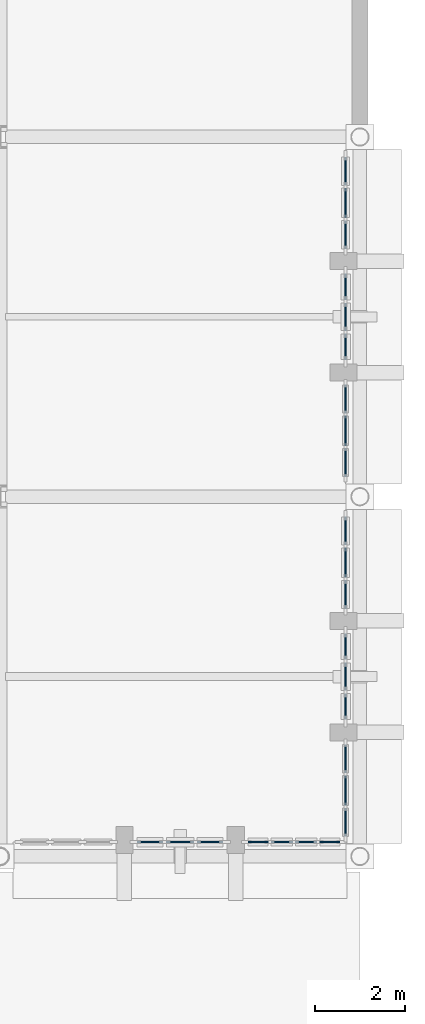
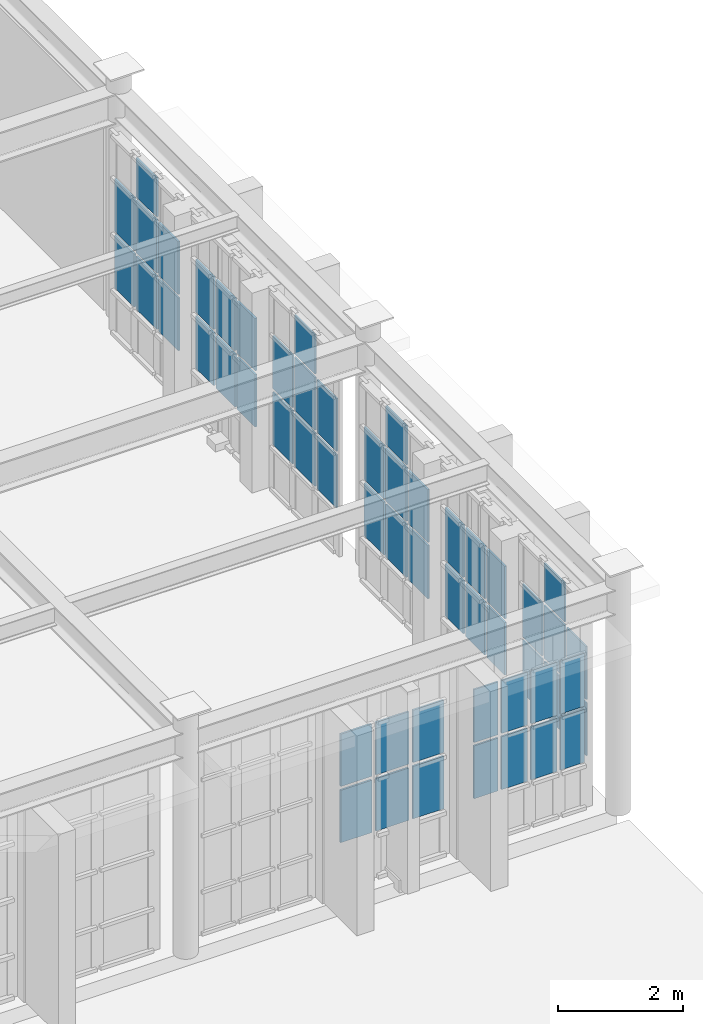
# One storey, part 112 of 155: 54 plates, 8 elements without a shape of their own.
"""IFC4 building model written with IfcOpenShell, lengths in metres."""

from ifc_helpers import new_model, si_unit, direction, frame, origin, origin_2d, place, context, subcontext, project, spatial, rectangle, extrude, material, layer, layer_set, type_object, element, aggregate, save


model = new_model("IFC4")

# Units and contexts
model_context = context("Model", 3, precision=1e-05, world=origin(), true_north=direction((0.0, 1.0)))
body_context = subcontext(model_context, "Body", "Model", "MODEL_VIEW")
ifc_project = project(units=[si_unit("LENGTHUNIT", "METRE"), si_unit("AREAUNIT", "SQUARE_METRE"), si_unit("VOLUMEUNIT", "CUBIC_METRE"), si_unit("PLANEANGLEUNIT", "RADIAN"), si_unit("MASSUNIT", "GRAM", prefix="KILO")], contexts=[model_context])

# Site, building, storey
site_placement = place(None, origin())
site = spatial("IfcSite", under=ifc_project, at=site_placement, CompositionType="ELEMENT")
building_placement = place(site_placement, origin())
building = spatial("IfcBuilding", under=site, at=building_placement, Name="Tazarka Park Arena", CompositionType="ELEMENT")
storey_placement = place(building_placement, frame((0.0, 0.0, 5.39990234375)))
storey = spatial("IfcBuildingStorey", under=building, at=storey_placement, Name="L01", CompositionType="ELEMENT", Elevation=5.39990234375)

# Curtain wall, plates
ifc_material_1 = material(Name="Aluminium and low-e glass", Category="aluminium")
ifc_layer_1 = layer(ifc_material_1, 0.179931640625, Name="Aluminium and low-e glass")
ifc_layer_set_1 = layer_set([ifc_layer_1], Name="Aluminium and low-e glass")
curtain_wall_type_1 = type_object("IfcCurtainWallType", Name="CW-06", PredefinedType="NOTDEFINED", material=ifc_layer_set_1)
curtain_wall_1_placement = place(storey_placement, origin())
curtain_wall_1 = element("IfcCurtainWall", 1, at=curtain_wall_1_placement, inside=storey, type_object=curtain_wall_type_1, Name="Curtain Wall CWA-L01-186", PredefinedType="NOTDEFINED")
ifc_material_2 = material(Name="Double low-e insulated glazing", Category="glass")
ifc_layer_2 = layer(ifc_material_2, 0.028076171875, Name="Double low-e insulated glazing")
ifc_layer_set_2 = layer_set([ifc_layer_2], Name="Double low-e insulated glazing")
plate_type_1 = type_object("IfcPlateType", Name="CWP-01", PredefinedType="CURTAIN_PANEL", material=ifc_layer_set_2)
plate_1_placement = place(storey_placement, frame((183.679931640625, 42.173583984375, 0.8828125), z_axis=(0.0, 0.0, 1.0), x_axis=(0.0, -1.0, 0.0)))
plate_1 = element("IfcPlate", 2, at=plate_1_placement, type_object=plate_type_1, Name="CW-06 panel 1.2", PredefinedType="CURTAIN_PANEL", context=body_context, shape_type="SweptSolid", body=[
    extrude(rectangle(XDim=0.625244140625, YDim=0.028076171875, at=origin_2d()), origin(), (0.0, 0.0, 1.0), 1.034912109375),
])
plate_2_placement = place(storey_placement, frame((183.679931640625, 42.173583984375, 1.982421875), z_axis=(0.0, 0.0, 1.0), x_axis=(0.0, -1.0, 0.0)))
plate_2 = element("IfcPlate", 3, at=plate_2_placement, type_object=plate_type_1, Name="CW-06 panel 1.3", PredefinedType="CURTAIN_PANEL", context=body_context, shape_type="SweptSolid", body=[
    extrude(rectangle(XDim=0.625244140625, YDim=0.028076171875, at=origin_2d()), origin(), (0.0, 0.0, 1.0), 1.034912109375),
])
plate_3_placement = place(storey_placement, frame((183.679931640625, 41.467041015625, 0.8828125), z_axis=(0.0, 0.0, 1.0), x_axis=(0.0, -1.0, 0.0)))
plate_3 = element("IfcPlate", 4, at=plate_3_placement, type_object=plate_type_1, Name="CW-06 panel 2.2", PredefinedType="CURTAIN_PANEL", context=body_context, shape_type="SweptSolid", body=[
    extrude(rectangle(XDim=0.65771484375, YDim=0.028076171875, at=origin_2d()), origin(), (0.0, 0.0, 1.0), 1.034912109375),
])
plate_4_placement = place(storey_placement, frame((183.679931640625, 41.467041015625, 1.982421875), z_axis=(0.0, 0.0, 1.0), x_axis=(0.0, -1.0, 0.0)))
plate_4 = element("IfcPlate", 5, at=plate_4_placement, type_object=plate_type_1, Name="CW-06 panel 2.3", PredefinedType="CURTAIN_PANEL", context=body_context, shape_type="SweptSolid", body=[
    extrude(rectangle(XDim=0.65771484375, YDim=0.028076171875, at=origin_2d()), origin(), (0.0, 0.0, 1.0), 1.034912109375),
])
plate_5_placement = place(storey_placement, frame((183.679931640625, 41.467041015625, 3.08251953125), z_axis=(0.0, 0.0, 1.0), x_axis=(0.0, -1.0, 0.0)))
plate_5 = element("IfcPlate", 6, at=plate_5_placement, type_object=plate_type_1, Name="CW-06 panel 2.4", PredefinedType="CURTAIN_PANEL", context=body_context, shape_type="SweptSolid", body=[
    extrude(rectangle(XDim=0.65771484375, YDim=0.028076171875, at=origin_2d()), origin(), (0.0, 0.0, 1.0), 0.762451171875),
])
plate_6_placement = place(storey_placement, frame((183.679931640625, 40.7607421875, 0.8828125), z_axis=(0.0, 0.0, 1.0), x_axis=(0.0, -1.0, 0.0)))
plate_6 = element("IfcPlate", 7, at=plate_6_placement, type_object=plate_type_1, Name="CW-06 panel 3.2", PredefinedType="CURTAIN_PANEL", context=body_context, shape_type="SweptSolid", body=[
    extrude(rectangle(XDim=0.625244140625, YDim=0.028076171875, at=origin_2d()), origin(), (0.0, 0.0, 1.0), 1.034912109375),
])
plate_7_placement = place(storey_placement, frame((183.679931640625, 40.7607421875, 1.982421875), z_axis=(0.0, 0.0, 1.0), x_axis=(0.0, -1.0, 0.0)))
plate_7 = element("IfcPlate", 8, at=plate_7_placement, type_object=plate_type_1, Name="CW-06 panel 3.3", PredefinedType="CURTAIN_PANEL", context=body_context, shape_type="SweptSolid", body=[
    extrude(rectangle(XDim=0.625244140625, YDim=0.028076171875, at=origin_2d()), origin(), (0.0, 0.0, 1.0), 1.034912109375),
])
aggregate(curtain_wall_1, [plate_1, plate_2, plate_3, plate_4, plate_5, plate_6, plate_7])

ifc_material_3 = material(Name="Aluminium and low-e glass", Category="aluminium")
ifc_layer_3 = layer(ifc_material_3, 0.179931640625, Name="Aluminium and low-e glass")
ifc_layer_set_3 = layer_set([ifc_layer_3], Name="Aluminium and low-e glass")
curtain_wall_type_2 = type_object("IfcCurtainWallType", Name="CW-09", PredefinedType="NOTDEFINED", material=ifc_layer_set_3)
curtain_wall_2_placement = place(storey_placement, origin())
curtain_wall_2 = element("IfcCurtainWall", 9, at=curtain_wall_2_placement, inside=storey, type_object=curtain_wall_type_2, Name="Curtain Wall CWA-L01-189", PredefinedType="NOTDEFINED")
plate_8_placement = place(storey_placement, frame((183.679931640625, 50.173583984375, 0.8828125), z_axis=(0.0, 0.0, 1.0), x_axis=(0.0, -1.0, 0.0)))
plate_8 = element("IfcPlate", 10, at=plate_8_placement, type_object=plate_type_1, Name="CW-09 panel 1.2", PredefinedType="CURTAIN_PANEL", context=body_context, shape_type="SweptSolid", body=[
    extrude(rectangle(XDim=0.625244140625, YDim=0.028076171875, at=origin_2d()), origin(), (0.0, 0.0, 1.0), 1.034912109375),
])
plate_9_placement = place(storey_placement, frame((183.679931640625, 50.173583984375, 1.982421875), z_axis=(0.0, 0.0, 1.0), x_axis=(0.0, -1.0, 0.0)))
plate_9 = element("IfcPlate", 11, at=plate_9_placement, type_object=plate_type_1, Name="CW-09 panel 1.3", PredefinedType="CURTAIN_PANEL", context=body_context, shape_type="SweptSolid", body=[
    extrude(rectangle(XDim=0.625244140625, YDim=0.028076171875, at=origin_2d()), origin(), (0.0, 0.0, 1.0), 1.034912109375),
])
plate_10_placement = place(storey_placement, frame((183.679931640625, 49.467041015625, 0.8828125), z_axis=(0.0, 0.0, 1.0), x_axis=(0.0, -1.0, 0.0)))
plate_10 = element("IfcPlate", 12, at=plate_10_placement, type_object=plate_type_1, Name="CW-09 panel 2.2", PredefinedType="CURTAIN_PANEL", context=body_context, shape_type="SweptSolid", body=[
    extrude(rectangle(XDim=0.65771484375, YDim=0.028076171875, at=origin_2d()), origin(), (0.0, 0.0, 1.0), 1.034912109375),
])
plate_11_placement = place(storey_placement, frame((183.679931640625, 49.467041015625, 1.982421875), z_axis=(0.0, 0.0, 1.0), x_axis=(0.0, -1.0, 0.0)))
plate_11 = element("IfcPlate", 13, at=plate_11_placement, type_object=plate_type_1, Name="CW-09 panel 2.3", PredefinedType="CURTAIN_PANEL", context=body_context, shape_type="SweptSolid", body=[
    extrude(rectangle(XDim=0.65771484375, YDim=0.028076171875, at=origin_2d()), origin(), (0.0, 0.0, 1.0), 1.034912109375),
])
plate_12_placement = place(storey_placement, frame((183.679931640625, 49.467041015625, 3.08251953125), z_axis=(0.0, 0.0, 1.0), x_axis=(0.0, -1.0, 0.0)))
plate_12 = element("IfcPlate", 14, at=plate_12_placement, type_object=plate_type_1, Name="CW-09 panel 2.4", PredefinedType="CURTAIN_PANEL", context=body_context, shape_type="SweptSolid", body=[
    extrude(rectangle(XDim=0.65771484375, YDim=0.028076171875, at=origin_2d()), origin(), (0.0, 0.0, 1.0), 0.762451171875),
])
plate_13_placement = place(storey_placement, frame((183.679931640625, 48.7607421875, 0.8828125), z_axis=(0.0, 0.0, 1.0), x_axis=(0.0, -1.0, 0.0)))
plate_13 = element("IfcPlate", 15, at=plate_13_placement, type_object=plate_type_1, Name="CW-09 panel 3.2", PredefinedType="CURTAIN_PANEL", context=body_context, shape_type="SweptSolid", body=[
    extrude(rectangle(XDim=0.625244140625, YDim=0.028076171875, at=origin_2d()), origin(), (0.0, 0.0, 1.0), 1.034912109375),
])
plate_14_placement = place(storey_placement, frame((183.679931640625, 48.7607421875, 1.982421875), z_axis=(0.0, 0.0, 1.0), x_axis=(0.0, -1.0, 0.0)))
plate_14 = element("IfcPlate", 16, at=plate_14_placement, type_object=plate_type_1, Name="CW-09 panel 3.3", PredefinedType="CURTAIN_PANEL", context=body_context, shape_type="SweptSolid", body=[
    extrude(rectangle(XDim=0.625244140625, YDim=0.028076171875, at=origin_2d()), origin(), (0.0, 0.0, 1.0), 1.034912109375),
])
aggregate(curtain_wall_2, [plate_8, plate_9, plate_10, plate_11, plate_12, plate_13, plate_14])

ifc_material_4 = material(Name="Aluminium and low-e glass", Category="aluminium")
ifc_layer_4 = layer(ifc_material_4, 0.179931640625, Name="Aluminium and low-e glass")
ifc_layer_set_4 = layer_set([ifc_layer_4], Name="Aluminium and low-e glass")
curtain_wall_type_3 = type_object("IfcCurtainWallType", Name="CW-01", PredefinedType="NOTDEFINED", material=ifc_layer_set_4)
curtain_wall_3_placement = place(storey_placement, origin())
curtain_wall_3 = element("IfcCurtainWall", 17, at=curtain_wall_3_placement, inside=storey, type_object=curtain_wall_type_3, Name="Curtain Wall CWA-L01-181", PredefinedType="NOTDEFINED")
ifc_material_5 = material(Name="Triple acoustic solar glazing", Category="glass")
ifc_layer_5 = layer(ifc_material_5, 0.031982421875, Name="Triple acoustic solar glazing")
ifc_layer_set_5 = layer_set([ifc_layer_5], Name="Triple acoustic solar glazing")
plate_type_2 = type_object("IfcPlateType", Name="CWP-02", PredefinedType="CURTAIN_PANEL", material=ifc_layer_set_5)
plate_15_placement = place(storey_placement, frame((183.32958984375, 40.320068359375, 0.8828125), z_axis=(0.0, 0.0, 1.0), x_axis=(-1.0, 0.0, 0.0)))
plate_15 = element("IfcPlate", 18, at=plate_15_placement, type_object=plate_type_2, Name="CW-01 panel 1.2", PredefinedType="CURTAIN_PANEL", context=body_context, shape_type="SweptSolid", body=[
    extrude(rectangle(XDim=0.444580078125, YDim=0.031982421875, at=origin_2d()), origin(), (0.0, 0.0, 1.0), 1.034912109375),
])
plate_16_placement = place(storey_placement, frame((183.32958984375, 40.320068359375, 1.982421875), z_axis=(0.0, 0.0, 1.0), x_axis=(-1.0, 0.0, 0.0)))
plate_16 = element("IfcPlate", 19, at=plate_16_placement, type_object=plate_type_2, Name="CW-01 panel 1.3", PredefinedType="CURTAIN_PANEL", context=body_context, shape_type="SweptSolid", body=[
    extrude(rectangle(XDim=0.444580078125, YDim=0.031982421875, at=origin_2d()), origin(), (0.0, 0.0, 1.0), 1.034912109375),
])
plate_17_placement = place(storey_placement, frame((182.803955078125, 40.320068359375, 0.8828125), z_axis=(0.0, 0.0, 1.0), x_axis=(-1.0, 0.0, 0.0)))
plate_17 = element("IfcPlate", 20, at=plate_17_placement, type_object=plate_type_2, Name="CW-01 panel 2.2", PredefinedType="CURTAIN_PANEL", context=body_context, shape_type="SweptSolid", body=[
    extrude(rectangle(XDim=0.47705078125, YDim=0.031982421875, at=origin_2d()), origin(), (0.0, 0.0, 1.0), 1.034912109375),
])
plate_18_placement = place(storey_placement, frame((182.803955078125, 40.320068359375, 1.982421875), z_axis=(0.0, 0.0, 1.0), x_axis=(-1.0, 0.0, 0.0)))
plate_18 = element("IfcPlate", 21, at=plate_18_placement, type_object=plate_type_2, Name="CW-01 panel 2.3", PredefinedType="CURTAIN_PANEL", context=body_context, shape_type="SweptSolid", body=[
    extrude(rectangle(XDim=0.47705078125, YDim=0.031982421875, at=origin_2d()), origin(), (0.0, 0.0, 1.0), 1.034912109375),
])
plate_19_placement = place(storey_placement, frame((182.261962890625, 40.320068359375, 0.8828125), z_axis=(0.0, 0.0, 1.0), x_axis=(-1.0, 0.0, 0.0)))
plate_19 = element("IfcPlate", 22, at=plate_19_placement, type_object=plate_type_2, Name="CW-01 panel 3.2", PredefinedType="CURTAIN_PANEL", context=body_context, shape_type="SweptSolid", body=[
    extrude(rectangle(XDim=0.47705078125, YDim=0.031982421875, at=origin_2d()), origin(), (0.0, 0.0, 1.0), 1.034912109375),
])
plate_20_placement = place(storey_placement, frame((182.261962890625, 40.320068359375, 1.982421875), z_axis=(0.0, 0.0, 1.0), x_axis=(-1.0, 0.0, 0.0)))
plate_20 = element("IfcPlate", 23, at=plate_20_placement, type_object=plate_type_2, Name="CW-01 panel 3.3", PredefinedType="CURTAIN_PANEL", context=body_context, shape_type="SweptSolid", body=[
    extrude(rectangle(XDim=0.47705078125, YDim=0.031982421875, at=origin_2d()), origin(), (0.0, 0.0, 1.0), 1.034912109375),
])
plate_21_placement = place(storey_placement, frame((181.736083984375, 40.320068359375, 0.8828125), z_axis=(0.0, 0.0, 1.0), x_axis=(-1.0, 0.0, 0.0)))
plate_21 = element("IfcPlate", 24, at=plate_21_placement, type_object=plate_type_2, Name="CW-01 panel 4.2", PredefinedType="CURTAIN_PANEL", context=body_context, shape_type="SweptSolid", body=[
    extrude(rectangle(XDim=0.444580078125, YDim=0.031982421875, at=origin_2d()), origin(), (0.0, 0.0, 1.0), 1.034912109375),
])
plate_22_placement = place(storey_placement, frame((181.736083984375, 40.320068359375, 1.982421875), z_axis=(0.0, 0.0, 1.0), x_axis=(-1.0, 0.0, 0.0)))
plate_22 = element("IfcPlate", 25, at=plate_22_placement, type_object=plate_type_2, Name="CW-01 panel 4.3", PredefinedType="CURTAIN_PANEL", context=body_context, shape_type="SweptSolid", body=[
    extrude(rectangle(XDim=0.444580078125, YDim=0.031982421875, at=origin_2d()), origin(), (0.0, 0.0, 1.0), 1.034912109375),
])
aggregate(curtain_wall_3, [plate_15, plate_16, plate_17, plate_18, plate_19, plate_20, plate_21, plate_22])

ifc_material_6 = material(Name="Aluminium and low-e glass", Category="aluminium")
ifc_layer_6 = layer(ifc_material_6, 0.179931640625, Name="Aluminium and low-e glass")
ifc_layer_set_6 = layer_set([ifc_layer_6], Name="Aluminium and low-e glass")
curtain_wall_type_4 = type_object("IfcCurtainWallType", Name="CW-04", PredefinedType="NOTDEFINED", material=ifc_layer_set_6)
curtain_wall_4_placement = place(storey_placement, origin())
curtain_wall_4 = element("IfcCurtainWall", 26, at=curtain_wall_4_placement, inside=storey, type_object=curtain_wall_type_4, Name="Curtain Wall CWA-L01-184", PredefinedType="NOTDEFINED")
plate_23_placement = place(storey_placement, frame((183.679931640625, 47.2392578125, 0.8828125), z_axis=(0.0, 0.0, 1.0), x_axis=(0.0, -1.0, 0.0)))
plate_23 = element("IfcPlate", 27, at=plate_23_placement, type_object=plate_type_2, Name="CW-04 panel 1.2", PredefinedType="CURTAIN_PANEL", context=body_context, shape_type="SweptSolid", body=[
    extrude(rectangle(XDim=0.625244140625, YDim=0.031982421875, at=origin_2d()), origin(), (0.0, 0.0, 1.0), 1.034912109375),
])
plate_24_placement = place(storey_placement, frame((183.679931640625, 47.2392578125, 1.982421875), z_axis=(0.0, 0.0, 1.0), x_axis=(0.0, -1.0, 0.0)))
plate_24 = element("IfcPlate", 28, at=plate_24_placement, type_object=plate_type_2, Name="CW-04 panel 1.3", PredefinedType="CURTAIN_PANEL", context=body_context, shape_type="SweptSolid", body=[
    extrude(rectangle(XDim=0.625244140625, YDim=0.031982421875, at=origin_2d()), origin(), (0.0, 0.0, 1.0), 1.034912109375),
])
plate_25_placement = place(storey_placement, frame((183.679931640625, 46.532958984375, 0.8828125), z_axis=(0.0, 0.0, 1.0), x_axis=(0.0, -1.0, 0.0)))
plate_25 = element("IfcPlate", 29, at=plate_25_placement, type_object=plate_type_2, Name="CW-04 panel 2.2", PredefinedType="CURTAIN_PANEL", context=body_context, shape_type="SweptSolid", body=[
    extrude(rectangle(XDim=0.65771484375, YDim=0.031982421875, at=origin_2d()), origin(), (0.0, 0.0, 1.0), 1.034912109375),
])
plate_26_placement = place(storey_placement, frame((183.679931640625, 46.532958984375, 1.982421875), z_axis=(0.0, 0.0, 1.0), x_axis=(0.0, -1.0, 0.0)))
plate_26 = element("IfcPlate", 30, at=plate_26_placement, type_object=plate_type_2, Name="CW-04 panel 2.3", PredefinedType="CURTAIN_PANEL", context=body_context, shape_type="SweptSolid", body=[
    extrude(rectangle(XDim=0.65771484375, YDim=0.031982421875, at=origin_2d()), origin(), (0.0, 0.0, 1.0), 1.034912109375),
])
plate_27_placement = place(storey_placement, frame((183.679931640625, 46.532958984375, 3.08251953125), z_axis=(0.0, 0.0, 1.0), x_axis=(0.0, -1.0, 0.0)))
plate_27 = element("IfcPlate", 31, at=plate_27_placement, type_object=plate_type_2, Name="CW-04 panel 2.4", PredefinedType="CURTAIN_PANEL", context=body_context, shape_type="SweptSolid", body=[
    extrude(rectangle(XDim=0.65771484375, YDim=0.031982421875, at=origin_2d()), origin(), (0.0, 0.0, 1.0), 0.762451171875),
])
plate_28_placement = place(storey_placement, frame((183.679931640625, 45.826416015625, 0.8828125), z_axis=(0.0, 0.0, 1.0), x_axis=(0.0, -1.0, 0.0)))
plate_28 = element("IfcPlate", 32, at=plate_28_placement, type_object=plate_type_2, Name="CW-04 panel 3.2", PredefinedType="CURTAIN_PANEL", context=body_context, shape_type="SweptSolid", body=[
    extrude(rectangle(XDim=0.625244140625, YDim=0.031982421875, at=origin_2d()), origin(), (0.0, 0.0, 1.0), 1.034912109375),
])
plate_29_placement = place(storey_placement, frame((183.679931640625, 45.826416015625, 1.982421875), z_axis=(0.0, 0.0, 1.0), x_axis=(0.0, -1.0, 0.0)))
plate_29 = element("IfcPlate", 33, at=plate_29_placement, type_object=plate_type_2, Name="CW-04 panel 3.3", PredefinedType="CURTAIN_PANEL", context=body_context, shape_type="SweptSolid", body=[
    extrude(rectangle(XDim=0.625244140625, YDim=0.031982421875, at=origin_2d()), origin(), (0.0, 0.0, 1.0), 1.034912109375),
])
aggregate(curtain_wall_4, [plate_23, plate_24, plate_25, plate_26, plate_27, plate_28, plate_29])

ifc_material_7 = material(Name="Aluminium and low-e glass", Category="aluminium")
ifc_layer_7 = layer(ifc_material_7, 0.179931640625, Name="Aluminium and low-e glass")
ifc_layer_set_7 = layer_set([ifc_layer_7], Name="Aluminium and low-e glass")
curtain_wall_type_5 = type_object("IfcCurtainWallType", Name="CW-07", PredefinedType="NOTDEFINED", material=ifc_layer_set_7)
curtain_wall_5_placement = place(storey_placement, origin())
curtain_wall_5 = element("IfcCurtainWall", 34, at=curtain_wall_5_placement, inside=storey, type_object=curtain_wall_type_5, Name="Curtain Wall CWA-L01-187", PredefinedType="NOTDEFINED")
plate_30_placement = place(storey_placement, frame((183.679931640625, 55.2392578125, 0.8828125), z_axis=(0.0, 0.0, 1.0), x_axis=(0.0, -1.0, 0.0)))
plate_30 = element("IfcPlate", 35, at=plate_30_placement, type_object=plate_type_2, Name="CW-07 panel 1.2", PredefinedType="CURTAIN_PANEL", context=body_context, shape_type="SweptSolid", body=[
    extrude(rectangle(XDim=0.625244140625, YDim=0.031982421875, at=origin_2d()), origin(), (0.0, 0.0, 1.0), 1.034912109375),
])
plate_31_placement = place(storey_placement, frame((183.679931640625, 55.2392578125, 1.982421875), z_axis=(0.0, 0.0, 1.0), x_axis=(0.0, -1.0, 0.0)))
plate_31 = element("IfcPlate", 36, at=plate_31_placement, type_object=plate_type_2, Name="CW-07 panel 1.3", PredefinedType="CURTAIN_PANEL", context=body_context, shape_type="SweptSolid", body=[
    extrude(rectangle(XDim=0.625244140625, YDim=0.031982421875, at=origin_2d()), origin(), (0.0, 0.0, 1.0), 1.034912109375),
])
plate_32_placement = place(storey_placement, frame((183.679931640625, 54.532958984375, 0.8828125), z_axis=(0.0, 0.0, 1.0), x_axis=(0.0, -1.0, 0.0)))
plate_32 = element("IfcPlate", 37, at=plate_32_placement, type_object=plate_type_2, Name="CW-07 panel 2.2", PredefinedType="CURTAIN_PANEL", context=body_context, shape_type="SweptSolid", body=[
    extrude(rectangle(XDim=0.65771484375, YDim=0.031982421875, at=origin_2d()), origin(), (0.0, 0.0, 1.0), 1.034912109375),
])
plate_33_placement = place(storey_placement, frame((183.679931640625, 54.532958984375, 1.982421875), z_axis=(0.0, 0.0, 1.0), x_axis=(0.0, -1.0, 0.0)))
plate_33 = element("IfcPlate", 38, at=plate_33_placement, type_object=plate_type_2, Name="CW-07 panel 2.3", PredefinedType="CURTAIN_PANEL", context=body_context, shape_type="SweptSolid", body=[
    extrude(rectangle(XDim=0.65771484375, YDim=0.031982421875, at=origin_2d()), origin(), (0.0, 0.0, 1.0), 1.034912109375),
])
plate_34_placement = place(storey_placement, frame((183.679931640625, 54.532958984375, 3.08251953125), z_axis=(0.0, 0.0, 1.0), x_axis=(0.0, -1.0, 0.0)))
plate_34 = element("IfcPlate", 39, at=plate_34_placement, type_object=plate_type_2, Name="CW-07 panel 2.4", PredefinedType="CURTAIN_PANEL", context=body_context, shape_type="SweptSolid", body=[
    extrude(rectangle(XDim=0.65771484375, YDim=0.031982421875, at=origin_2d()), origin(), (0.0, 0.0, 1.0), 0.762451171875),
])
plate_35_placement = place(storey_placement, frame((183.679931640625, 53.826416015625, 0.8828125), z_axis=(0.0, 0.0, 1.0), x_axis=(0.0, -1.0, 0.0)))
plate_35 = element("IfcPlate", 40, at=plate_35_placement, type_object=plate_type_2, Name="CW-07 panel 3.2", PredefinedType="CURTAIN_PANEL", context=body_context, shape_type="SweptSolid", body=[
    extrude(rectangle(XDim=0.625244140625, YDim=0.031982421875, at=origin_2d()), origin(), (0.0, 0.0, 1.0), 1.034912109375),
])
plate_36_placement = place(storey_placement, frame((183.679931640625, 53.826416015625, 1.982421875), z_axis=(0.0, 0.0, 1.0), x_axis=(0.0, -1.0, 0.0)))
plate_36 = element("IfcPlate", 41, at=plate_36_placement, type_object=plate_type_2, Name="CW-07 panel 3.3", PredefinedType="CURTAIN_PANEL", context=body_context, shape_type="SweptSolid", body=[
    extrude(rectangle(XDim=0.625244140625, YDim=0.031982421875, at=origin_2d()), origin(), (0.0, 0.0, 1.0), 1.034912109375),
])
aggregate(curtain_wall_5, [plate_30, plate_31, plate_32, plate_33, plate_34, plate_35, plate_36])

ifc_material_8 = material(Name="Aluminium and low-e glass", Category="aluminium")
ifc_layer_8 = layer(ifc_material_8, 0.179931640625, Name="Aluminium and low-e glass")
ifc_layer_set_8 = layer_set([ifc_layer_8], Name="Aluminium and low-e glass")
curtain_wall_type_6 = type_object("IfcCurtainWallType", Name="CW-02", PredefinedType="NOTDEFINED", material=ifc_layer_set_8)
curtain_wall_6_placement = place(storey_placement, origin())
curtain_wall_6 = element("IfcCurtainWall", 42, at=curtain_wall_6_placement, inside=storey, type_object=curtain_wall_type_6, Name="Curtain Wall CWA-L01-182", PredefinedType="NOTDEFINED")
ifc_material_9 = material(Name="Insulated aluminium spandrel panel", Category="aluminium")
ifc_layer_9 = layer(ifc_material_9, 0.035888671875, Name="Insulated aluminium spandrel panel")
ifc_layer_set_9 = layer_set([ifc_layer_9], Name="Insulated aluminium spandrel panel")
plate_type_3 = type_object("IfcPlateType", Name="CWP-03", PredefinedType="CURTAIN_PANEL", material=ifc_layer_set_9)
plate_37_placement = place(storey_placement, frame((180.667236328125, 40.320068359375, 0.8876953125), z_axis=(0.0, 0.0, 1.0), x_axis=(-1.0, 0.0, 0.0)))
plate_37 = element("IfcPlate", 43, at=plate_37_placement, type_object=plate_type_3, Name="CW-02 panel 1.2", PredefinedType="CURTAIN_PANEL", context=body_context, shape_type="SweptSolid", body=[
    extrude(rectangle(XDim=0.573486328125, YDim=0.035888671875, at=origin_2d()), origin(), (0.0, 0.0, 1.0), 1.02490234375),
])
plate_38_placement = place(storey_placement, frame((180.667236328125, 40.320068359375, 1.987548828125), z_axis=(0.0, 0.0, 1.0), x_axis=(-1.0, 0.0, 0.0)))
plate_38 = element("IfcPlate", 44, at=plate_38_placement, type_object=plate_type_3, Name="CW-02 panel 1.3", PredefinedType="CURTAIN_PANEL", context=body_context, shape_type="SweptSolid", body=[
    extrude(rectangle(XDim=0.573486328125, YDim=0.035888671875, at=origin_2d()), origin(), (0.0, 0.0, 1.0), 1.02490234375),
])
plate_39_placement = place(storey_placement, frame((180.0, 40.320068359375, 0.8876953125), z_axis=(0.0, 0.0, 1.0), x_axis=(-1.0, 0.0, 0.0)))
plate_39 = element("IfcPlate", 45, at=plate_39_placement, type_object=plate_type_3, Name="CW-02 panel 2.2", PredefinedType="CURTAIN_PANEL", context=body_context, shape_type="SweptSolid", body=[
    extrude(rectangle(XDim=0.61083984375, YDim=0.035888671875, at=origin_2d()), origin(), (0.0, 0.0, 1.0), 1.02490234375),
])
plate_40_placement = place(storey_placement, frame((180.0, 40.320068359375, 1.987548828125), z_axis=(0.0, 0.0, 1.0), x_axis=(-1.0, 0.0, 0.0)))
plate_40 = element("IfcPlate", 46, at=plate_40_placement, type_object=plate_type_3, Name="CW-02 panel 2.3", PredefinedType="CURTAIN_PANEL", context=body_context, shape_type="SweptSolid", body=[
    extrude(rectangle(XDim=0.61083984375, YDim=0.035888671875, at=origin_2d()), origin(), (0.0, 0.0, 1.0), 1.02490234375),
])
plate_41_placement = place(storey_placement, frame((179.332763671875, 40.320068359375, 0.8876953125), z_axis=(0.0, 0.0, 1.0), x_axis=(-1.0, 0.0, 0.0)))
plate_41 = element("IfcPlate", 47, at=plate_41_placement, type_object=plate_type_3, Name="CW-02 panel 3.2", PredefinedType="CURTAIN_PANEL", context=body_context, shape_type="SweptSolid", body=[
    extrude(rectangle(XDim=0.573486328125, YDim=0.035888671875, at=origin_2d()), origin(), (0.0, 0.0, 1.0), 1.02490234375),
])
plate_42_placement = place(storey_placement, frame((179.332763671875, 40.320068359375, 1.987548828125), z_axis=(0.0, 0.0, 1.0), x_axis=(-1.0, 0.0, 0.0)))
plate_42 = element("IfcPlate", 48, at=plate_42_placement, type_object=plate_type_3, Name="CW-02 panel 3.3", PredefinedType="CURTAIN_PANEL", context=body_context, shape_type="SweptSolid", body=[
    extrude(rectangle(XDim=0.573486328125, YDim=0.035888671875, at=origin_2d()), origin(), (0.0, 0.0, 1.0), 1.02490234375),
])
aggregate(curtain_wall_6, [plate_37, plate_38, plate_39, plate_40, plate_41, plate_42])

ifc_material_10 = material(Name="Aluminium and low-e glass", Category="aluminium")
ifc_layer_10 = layer(ifc_material_10, 0.179931640625, Name="Aluminium and low-e glass")
ifc_layer_set_10 = layer_set([ifc_layer_10], Name="Aluminium and low-e glass")
curtain_wall_type_7 = type_object("IfcCurtainWallType", Name="CW-05", PredefinedType="NOTDEFINED", material=ifc_layer_set_10)
curtain_wall_7_placement = place(storey_placement, origin())
curtain_wall_7 = element("IfcCurtainWall", 49, at=curtain_wall_7_placement, inside=storey, type_object=curtain_wall_type_7, Name="Curtain Wall CWA-L01-185", PredefinedType="NOTDEFINED")
plate_43_placement = place(storey_placement, frame((183.679931640625, 44.667236328125, 0.8876953125), z_axis=(0.0, 0.0, 1.0), x_axis=(0.0, -1.0, 0.0)))
plate_43 = element("IfcPlate", 50, at=plate_43_placement, type_object=plate_type_3, Name="CW-05 panel 1.2", PredefinedType="CURTAIN_PANEL", context=body_context, shape_type="SweptSolid", body=[
    extrude(rectangle(XDim=0.573486328125, YDim=0.035888671875, at=origin_2d()), origin(), (0.0, 0.0, 1.0), 1.02490234375),
])
plate_44_placement = place(storey_placement, frame((183.679931640625, 44.667236328125, 1.987548828125), z_axis=(0.0, 0.0, 1.0), x_axis=(0.0, -1.0, 0.0)))
plate_44 = element("IfcPlate", 51, at=plate_44_placement, type_object=plate_type_3, Name="CW-05 panel 1.3", PredefinedType="CURTAIN_PANEL", context=body_context, shape_type="SweptSolid", body=[
    extrude(rectangle(XDim=0.573486328125, YDim=0.035888671875, at=origin_2d()), origin(), (0.0, 0.0, 1.0), 1.02490234375),
])
plate_45_placement = place(storey_placement, frame((183.679931640625, 44.0, 0.8876953125), z_axis=(0.0, 0.0, 1.0), x_axis=(0.0, -1.0, 0.0)))
plate_45 = element("IfcPlate", 52, at=plate_45_placement, type_object=plate_type_3, Name="CW-05 panel 2.2", PredefinedType="CURTAIN_PANEL", context=body_context, shape_type="SweptSolid", body=[
    extrude(rectangle(XDim=0.61083984375, YDim=0.035888671875, at=origin_2d()), origin(), (0.0, 0.0, 1.0), 1.02490234375),
])
plate_46_placement = place(storey_placement, frame((183.679931640625, 44.0, 1.987548828125), z_axis=(0.0, 0.0, 1.0), x_axis=(0.0, -1.0, 0.0)))
plate_46 = element("IfcPlate", 53, at=plate_46_placement, type_object=plate_type_3, Name="CW-05 panel 2.3", PredefinedType="CURTAIN_PANEL", context=body_context, shape_type="SweptSolid", body=[
    extrude(rectangle(XDim=0.61083984375, YDim=0.035888671875, at=origin_2d()), origin(), (0.0, 0.0, 1.0), 1.02490234375),
])
plate_47_placement = place(storey_placement, frame((183.679931640625, 43.332763671875, 0.8876953125), z_axis=(0.0, 0.0, 1.0), x_axis=(0.0, -1.0, 0.0)))
plate_47 = element("IfcPlate", 54, at=plate_47_placement, type_object=plate_type_3, Name="CW-05 panel 3.2", PredefinedType="CURTAIN_PANEL", context=body_context, shape_type="SweptSolid", body=[
    extrude(rectangle(XDim=0.573486328125, YDim=0.035888671875, at=origin_2d()), origin(), (0.0, 0.0, 1.0), 1.02490234375),
])
plate_48_placement = place(storey_placement, frame((183.679931640625, 43.332763671875, 1.987548828125), z_axis=(0.0, 0.0, 1.0), x_axis=(0.0, -1.0, 0.0)))
plate_48 = element("IfcPlate", 55, at=plate_48_placement, type_object=plate_type_3, Name="CW-05 panel 3.3", PredefinedType="CURTAIN_PANEL", context=body_context, shape_type="SweptSolid", body=[
    extrude(rectangle(XDim=0.573486328125, YDim=0.035888671875, at=origin_2d()), origin(), (0.0, 0.0, 1.0), 1.02490234375),
])
aggregate(curtain_wall_7, [plate_43, plate_44, plate_45, plate_46, plate_47, plate_48])

ifc_material_11 = material(Name="Aluminium and low-e glass", Category="aluminium")
ifc_layer_11 = layer(ifc_material_11, 0.179931640625, Name="Aluminium and low-e glass")
ifc_layer_set_11 = layer_set([ifc_layer_11], Name="Aluminium and low-e glass")
curtain_wall_type_8 = type_object("IfcCurtainWallType", Name="CW-08", PredefinedType="NOTDEFINED", material=ifc_layer_set_11)
curtain_wall_8_placement = place(storey_placement, origin())
curtain_wall_8 = element("IfcCurtainWall", 56, at=curtain_wall_8_placement, inside=storey, type_object=curtain_wall_type_8, Name="Curtain Wall CWA-L01-188", PredefinedType="NOTDEFINED")
plate_49_placement = place(storey_placement, frame((183.679931640625, 52.667236328125, 0.8876953125), z_axis=(0.0, 0.0, 1.0), x_axis=(0.0, -1.0, 0.0)))
plate_49 = element("IfcPlate", 57, at=plate_49_placement, type_object=plate_type_3, Name="CW-08 panel 1.2", PredefinedType="CURTAIN_PANEL", context=body_context, shape_type="SweptSolid", body=[
    extrude(rectangle(XDim=0.573486328125, YDim=0.035888671875, at=origin_2d()), origin(), (0.0, 0.0, 1.0), 1.02490234375),
])
plate_50_placement = place(storey_placement, frame((183.679931640625, 52.667236328125, 1.987548828125), z_axis=(0.0, 0.0, 1.0), x_axis=(0.0, -1.0, 0.0)))
plate_50 = element("IfcPlate", 58, at=plate_50_placement, type_object=plate_type_3, Name="CW-08 panel 1.3", PredefinedType="CURTAIN_PANEL", context=body_context, shape_type="SweptSolid", body=[
    extrude(rectangle(XDim=0.573486328125, YDim=0.035888671875, at=origin_2d()), origin(), (0.0, 0.0, 1.0), 1.02490234375),
])
plate_51_placement = place(storey_placement, frame((183.679931640625, 52.0, 0.8876953125), z_axis=(0.0, 0.0, 1.0), x_axis=(0.0, -1.0, 0.0)))
plate_51 = element("IfcPlate", 59, at=plate_51_placement, type_object=plate_type_3, Name="CW-08 panel 2.2", PredefinedType="CURTAIN_PANEL", context=body_context, shape_type="SweptSolid", body=[
    extrude(rectangle(XDim=0.61083984375, YDim=0.035888671875, at=origin_2d()), origin(), (0.0, 0.0, 1.0), 1.02490234375),
])
plate_52_placement = place(storey_placement, frame((183.679931640625, 52.0, 1.987548828125), z_axis=(0.0, 0.0, 1.0), x_axis=(0.0, -1.0, 0.0)))
plate_52 = element("IfcPlate", 60, at=plate_52_placement, type_object=plate_type_3, Name="CW-08 panel 2.3", PredefinedType="CURTAIN_PANEL", context=body_context, shape_type="SweptSolid", body=[
    extrude(rectangle(XDim=0.61083984375, YDim=0.035888671875, at=origin_2d()), origin(), (0.0, 0.0, 1.0), 1.02490234375),
])
plate_53_placement = place(storey_placement, frame((183.679931640625, 51.332763671875, 0.8876953125), z_axis=(0.0, 0.0, 1.0), x_axis=(0.0, -1.0, 0.0)))
plate_53 = element("IfcPlate", 61, at=plate_53_placement, type_object=plate_type_3, Name="CW-08 panel 3.2", PredefinedType="CURTAIN_PANEL", context=body_context, shape_type="SweptSolid", body=[
    extrude(rectangle(XDim=0.573486328125, YDim=0.035888671875, at=origin_2d()), origin(), (0.0, 0.0, 1.0), 1.02490234375),
])
plate_54_placement = place(storey_placement, frame((183.679931640625, 51.332763671875, 1.987548828125), z_axis=(0.0, 0.0, 1.0), x_axis=(0.0, -1.0, 0.0)))
plate_54 = element("IfcPlate", 62, at=plate_54_placement, type_object=plate_type_3, Name="CW-08 panel 3.3", PredefinedType="CURTAIN_PANEL", context=body_context, shape_type="SweptSolid", body=[
    extrude(rectangle(XDim=0.573486328125, YDim=0.035888671875, at=origin_2d()), origin(), (0.0, 0.0, 1.0), 1.02490234375),
])
aggregate(curtain_wall_8, [plate_49, plate_50, plate_51, plate_52, plate_53, plate_54])

save(model, "model.ifc")
